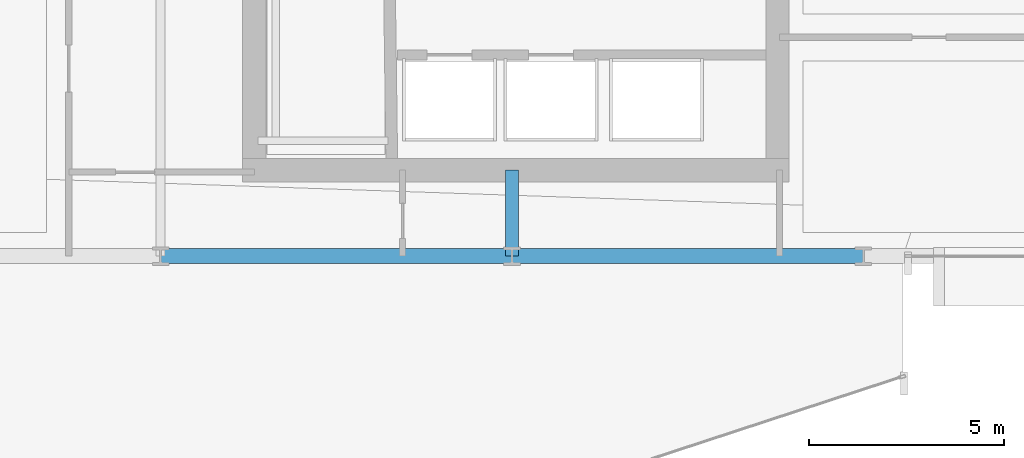
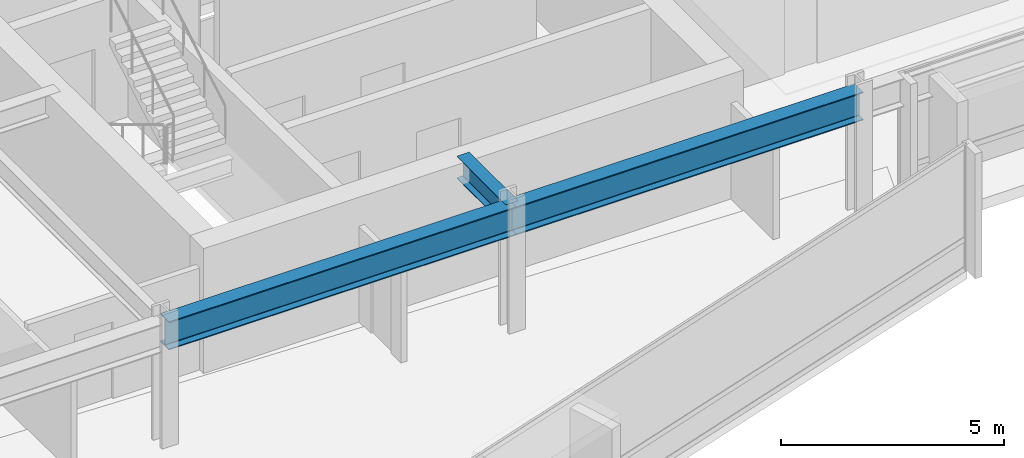
# One storey, part 11 of 34: 3 beams.
"""IFC4 building model written with IfcOpenShell, lengths in metres."""

from ifc_helpers import new_model, si_unit, direction, frame, origin, origin_2d, place, context, subcontext, project, spatial, i_section, extrude, material, material_profile, profile_set, type_object, element, save


model = new_model("IFC4")

# Units and contexts
model_context = context("Model", 3, precision=1e-05, world=origin(), true_north=direction((0.0, 1.0)))
body_context = subcontext(model_context, "Body", "Model", "MODEL_VIEW")
ifc_project = project(units=[si_unit("LENGTHUNIT", "METRE"), si_unit("AREAUNIT", "SQUARE_METRE"), si_unit("VOLUMEUNIT", "CUBIC_METRE"), si_unit("PLANEANGLEUNIT", "RADIAN"), si_unit("MASSUNIT", "GRAM", prefix="KILO")], contexts=[model_context])

# Site, building, storey
site_placement = place(None, origin())
site = spatial("IfcSite", under=ifc_project, at=site_placement, CompositionType="ELEMENT")
building_placement = place(site_placement, origin())
building = spatial("IfcBuilding", under=site, at=building_placement, Name="Solvaryn Broadcast Tower", CompositionType="ELEMENT")
storey_placement = place(building_placement, frame((0.0, 0.0, 73.0)))
storey = spatial("IfcBuildingStorey", under=building, at=storey_placement, Name="L17", CompositionType="ELEMENT", Elevation=73.0)

# Beams
ifc_material_1 = material(Name="Steel ASTM A992 Grade 50", Category="steel")
ifc_material_profile_1 = material_profile(ifc_material_1, i_section(OverallWidth=0.323974609375, OverallDepth=0.611083984375, WebThickness=0.0126953125, FlangeThickness=0.01904296875, FilletRadius=0.014892578125, at=origin_2d()))
ifc_profile_set_1 = profile_set([ifc_material_profile_1], Name="Steel ASTM A992 Grade 50")
beam_type_1 = type_object("IfcBeamType", Name="BM-B1-W24X104", PredefinedType="BEAM", material=ifc_profile_set_1)
beam_placement = place(storey_placement, frame((36.0, 9.0, 3.114501953125), z_axis=(0.0, 1.0, 0.0), x_axis=(-1.0, 0.0, 0.0)))
element("IfcBeam", 1, at=beam_placement, inside=storey, type_object=beam_type_1, Name="L17 Core Tie Beam CTE1", PredefinedType="BEAM", context=body_context, shape_type="SweptSolid", body=[
    extrude(i_section(OverallWidth=0.323974609375, OverallDepth=0.611083984375, WebThickness=0.0126953125, FlangeThickness=0.01904296875, FilletRadius=0.014892578125, at=origin_2d()), origin(), (0.0, 0.0, 1.0), 2.199951171875),
])
ifc_material_2 = material(Name="Steel ASTM A992 Grade 50", Category="steel")
ifc_material_profile_2 = material_profile(ifc_material_2, i_section(OverallWidth=0.381103515625, OverallDepth=0.77294921875, WebThickness=0.0166015625, FlangeThickness=0.027099609375, FilletRadius=0.01806640625, at=origin_2d()))
ifc_profile_set_2 = profile_set([ifc_material_profile_2], Name="Steel ASTM A992 Grade 50")
beam_type_2 = type_object("IfcBeamType", Name="BM-SP1-W30X173", PredefinedType="USERDEFINED", material=ifc_profile_set_2)
for number, where, z_axis, x_axis, name in (
    (2, (27.0, 9.0, 3.033447265625), (1.0, 0.0, 0.0), (0.0, 1.0, 0.0), "L17 Spandrel Beam X (27-36 @ Y=9)"),
    (3, (36.0, 9.0, 3.033447265625), (1.0, 0.0, 0.0), (0.0, 1.0, 0.0), "L17 Spandrel Beam X (36-45 @ Y=9)"),
):
    element("IfcBeam", number, at=place(storey_placement, frame(where, z_axis=z_axis, x_axis=x_axis)), inside=storey, type_object=beam_type_2, Name=name, ObjectType="SPANDREL", PredefinedType="USERDEFINED", context=body_context, shape_type="SweptSolid", body=[
        extrude(i_section(OverallWidth=0.381103515625, OverallDepth=0.77294921875, WebThickness=0.0166015625, FlangeThickness=0.027099609375, FilletRadius=0.01806640625, at=origin_2d()), origin(), (0.0, 0.0, 1.0), 9.0),
    ])

save(model, "model.ifc")
